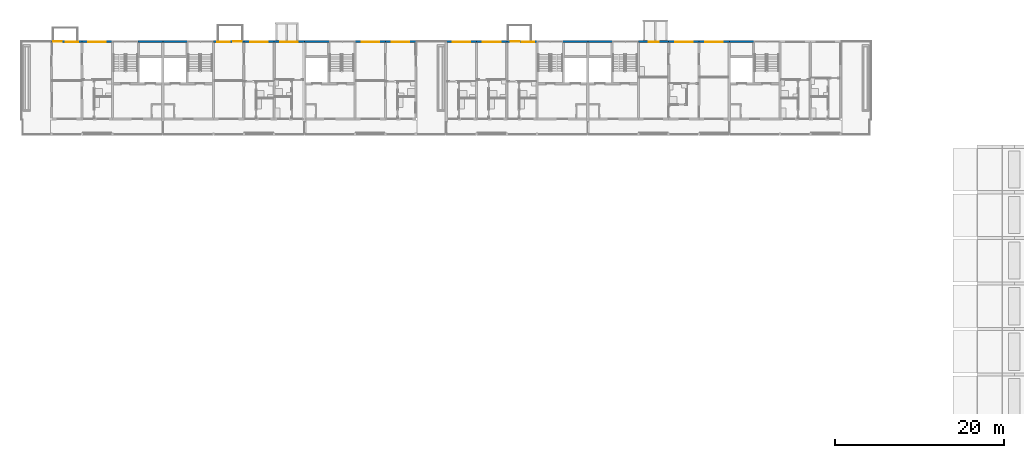
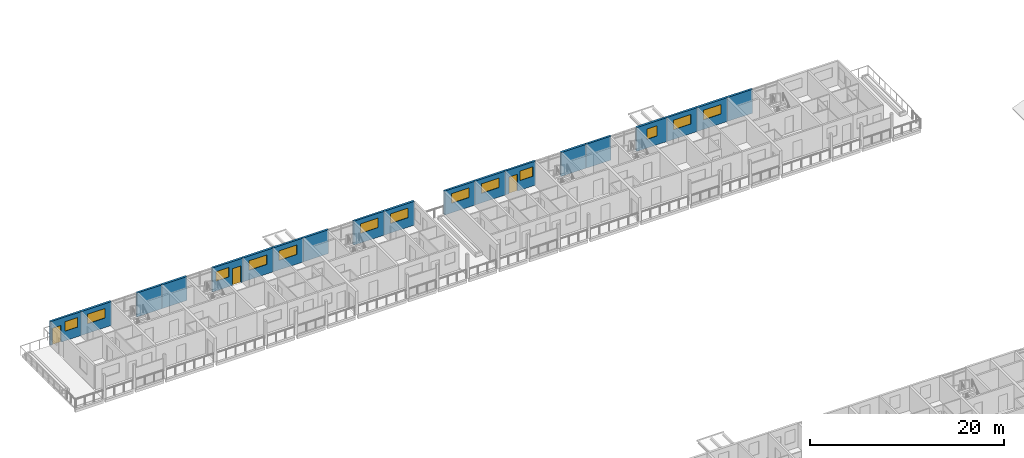
# One storey, part 43 of 93: 19 walls, 13 windows, 3 doors, 16 openings.
"""IFC4 building model written with IfcOpenShell, lengths in metres."""

from ifc_helpers import new_model, si_unit, direction, frame, frame_2d, origin, place, context, subcontext, project, spatial, rectangle, extrude, material, layer, layer_set, type_object, element, fill, save


model = new_model("IFC4")

# Units and contexts
model_context = context("Model", 3, precision=1e-05, world=origin(), true_north=direction((0.0, 1.0)))
body_context = subcontext(model_context, "Body", "Model", "MODEL_VIEW")
ifc_project = project(units=[si_unit("LENGTHUNIT", "METRE"), si_unit("AREAUNIT", "SQUARE_METRE"), si_unit("VOLUMEUNIT", "CUBIC_METRE"), si_unit("PLANEANGLEUNIT", "RADIAN"), si_unit("MASSUNIT", "GRAM", prefix="KILO")], contexts=[model_context])

# Site, building, storey
site_placement = place(None, origin())
site = spatial("IfcSite", under=ifc_project, at=site_placement, CompositionType="ELEMENT")
building_placement = place(site_placement, origin())
building = spatial("IfcBuilding", under=site, at=building_placement, Name="Ridgestep Commons", CompositionType="ELEMENT")
storey_placement = place(building_placement, frame((0.0, 0.0, 18.0)))
storey = spatial("IfcBuildingStorey", under=building, at=storey_placement, Name="L06", CompositionType="ELEMENT", Elevation=18.0)

# Wall, openings, door, window
ifc_material_1 = material(Name="Precast concrete C40/50", Category="concrete")
ifc_layer = layer(ifc_material_1, 0.25)
ifc_layer_set = layer_set([ifc_layer], Name="North facade panel 250")
wall_type = type_object("IfcWallType", Name="North facade panel 250", PredefinedType="SOLIDWALL", material=ifc_layer_set)
wall_1_placement = place(storey_placement, frame((15.60009765625, 77.125, 0.0), z_axis=(0.0, 0.0, 1.0), x_axis=(1.0, 0.0, 0.0)))
wall_1 = element("IfcWall", 1, at=wall_1_placement, inside=storey, type_object=wall_type, Name="North panel B1T2 L06", PredefinedType="SOLIDWALL", context=body_context, shape_type="SweptSolid", body=[
    extrude(rectangle(XDim=3.599853515625, YDim=0.25, at=frame_2d((1.7998046875, 0.0))), origin(), (0.0, 0.0, 1.0), 3.0),
])
opening_1_placement = place(wall_1_placement, frame((1.656982421875, 0.0, 1.199951171875)))
opening_1 = element("IfcOpeningElement", 2, at=opening_1_placement, cuts=wall_1, Name="Opening W13", PredefinedType="OPENING", context=body_context, shape_type="SweptSolid", body=[
    extrude(rectangle(XDim=1.5, YDim=1.199951171875, at=frame_2d((0.75, 0.60009765625))), frame((0.0, 0.135009765625, 0.0), z_axis=(0.0, -1.0, 0.0), x_axis=(1.0, 0.0, 0.0)), (0.0, 0.0, 1.0), 0.27001953125),
])
opening_2_placement = place(wall_1_placement, frame((0.214111328125, 0.0, 0.0)))
opening_2 = element("IfcOpeningElement", 3, at=opening_2_placement, cuts=wall_1, Name="Opening B1-06a/8", PredefinedType="OPENING", context=body_context, shape_type="SweptSolid", body=[
    extrude(rectangle(XDim=1.0, YDim=2.10009765625, at=frame_2d((0.5, 1.050048828125))), frame((0.0, 0.135009765625, 0.0), z_axis=(0.0, -1.0, 0.0), x_axis=(1.0, 0.0, 0.0)), (0.0, 0.0, 1.0), 0.27001953125),
])
ifc_material_2 = material(Name="Aluminium and glass", Category="aluminium")
door_type = type_object("IfcDoorType", Name="Balcony door 1000 x 2100", OperationType="NOTDEFINED", PredefinedType="DOOR", material=ifc_material_2)
door_1_placement = place(opening_2_placement, origin())
door_1 = element("IfcDoor", 4, at=door_1_placement, inside=storey, type_object=door_type, Name="Balcony door B1-06a/8", OperationType="SINGLE_SWING_RIGHT", OverallHeight=2.10009765625, OverallWidth=1.0, PredefinedType="DOOR", context=body_context, shape_type="SweptSolid", body=[
    extrude(rectangle(XDim=1.0, YDim=2.10009765625, at=frame_2d((0.5, 1.050048828125))), frame((0.0, 0.02490234375, 0.0), z_axis=(0.0, -1.0, 0.0), x_axis=(1.0, 0.0, 0.0)), (0.0, 0.0, 1.0), 0.050048828125),
])
fill(opening_2, door_1)
ifc_material_3 = material(Name="Aluminium 6063-T6 and glass", Category="aluminium")
window_type_1 = type_object("IfcWindowType", Name="Flat window 1500 x 1200", PartitioningType="DOUBLE_PANEL_VERTICAL", PredefinedType="WINDOW", material=ifc_material_3)
window_1_placement = place(opening_1_placement, origin())
window_1 = element("IfcWindow", 5, at=window_1_placement, inside=storey, type_object=window_type_1, Name="Window B1-06a 2", OverallHeight=1.199951171875, OverallWidth=1.5, PartitioningType="SINGLE_PANEL", PredefinedType="WINDOW", context=body_context, shape_type="SweptSolid", body=[
    extrude(rectangle(XDim=1.5, YDim=1.199951171875, at=frame_2d((0.75, 0.60009765625))), frame((0.0, -0.02490234375, 0.0), z_axis=(0.0, -1.0, 0.0), x_axis=(1.0, 0.0, 0.0)), (0.0, 0.0, 1.0), 0.06005859375),
])
fill(opening_1, window_1)

# Wall, opening, window
wall_2_placement = place(storey_placement, frame((19.199951171875, 77.125, 0.0), z_axis=(0.0, 0.0, 1.0), x_axis=(1.0, 0.0, 0.0)))
wall_2 = element("IfcWall", 6, at=wall_2_placement, inside=storey, type_object=wall_type, Name="North panel B1T3 L06", PredefinedType="SOLIDWALL", context=body_context, shape_type="SweptSolid", body=[
    extrude(rectangle(XDim=3.60009765625, YDim=0.25, at=frame_2d((1.800048828125, 0.0))), origin(), (0.0, 0.0, 1.0), 3.0),
])
opening_3_placement = place(wall_2_placement, frame((0.737548828125, 0.0, 1.199951171875)))
opening_3 = element("IfcOpeningElement", 7, at=opening_3_placement, cuts=wall_2, Name="Opening W22", PredefinedType="OPENING", context=body_context, shape_type="SweptSolid", body=[
    extrude(rectangle(XDim=2.10009765625, YDim=1.199951171875, at=frame_2d((1.050048828125, 0.60009765625))), frame((0.0, 0.135009765625, 0.0), z_axis=(0.0, -1.0, 0.0), x_axis=(1.0, 0.0, 0.0)), (0.0, 0.0, 1.0), 0.27001953125),
])
ifc_material_4 = material(Name="Aluminium 6063-T6 and glass", Category="aluminium")
window_type_2 = type_object("IfcWindowType", Name="Flat window 2100 x 1200", PartitioningType="DOUBLE_PANEL_VERTICAL", PredefinedType="WINDOW", material=ifc_material_4)
window_2_placement = place(opening_3_placement, origin())
window_2 = element("IfcWindow", 8, at=window_2_placement, inside=storey, type_object=window_type_2, Name="Window B1-06a 4", OverallHeight=1.199951171875, OverallWidth=2.10009765625, PartitioningType="SINGLE_PANEL", PredefinedType="WINDOW", context=body_context, shape_type="SweptSolid", body=[
    extrude(rectangle(XDim=2.10009765625, YDim=1.199951171875, at=frame_2d((1.050048828125, 0.60009765625))), frame((0.0, -0.02490234375, 0.0), z_axis=(0.0, -1.0, 0.0), x_axis=(1.0, 0.0, 0.0)), (0.0, 0.0, 1.0), 0.06005859375),
])
fill(opening_3, window_2)

# Walls
wall_3_placement = place(storey_placement, frame((25.824951171875, 77.125, 0.0), z_axis=(0.0, 0.0, 1.0), x_axis=(1.0, 0.0, 0.0)))
element("IfcWall", 9, at=wall_3_placement, inside=storey, type_object=wall_type, Name="North panel B1C L06", PredefinedType="SOLIDWALL", context=body_context, shape_type="SweptSolid", body=[
    extrude(rectangle(XDim=2.97509765625, YDim=0.25, at=frame_2d((1.487548828125, 0.0))), origin(), (0.0, 0.0, 1.0), 3.0),
])
wall_4_placement = place(storey_placement, frame((28.800048828125, 77.125, 0.0), z_axis=(0.0, 0.0, 1.0), x_axis=(1.0, 0.0, 0.0)))
element("IfcWall", 10, at=wall_4_placement, inside=storey, type_object=wall_type, Name="North panel B2C L06", PredefinedType="SOLIDWALL", context=body_context, shape_type="SweptSolid", body=[
    extrude(rectangle(XDim=2.974853515625, YDim=0.25, at=frame_2d((1.4873046875, 0.0))), origin(), (0.0, 0.0, 1.0), 3.0),
])

# Wall, openings, door, window
wall_5_placement = place(storey_placement, frame((34.800048828125, 77.125, 0.0), z_axis=(0.0, 0.0, 1.0), x_axis=(1.0, 0.0, 0.0)))
wall_5 = element("IfcWall", 11, at=wall_5_placement, inside=storey, type_object=wall_type, Name="North panel B2T3 L06", PredefinedType="SOLIDWALL", context=body_context, shape_type="SweptSolid", body=[
    extrude(rectangle(XDim=3.599853515625, YDim=0.25, at=frame_2d((1.7998046875, 0.0))), origin(), (0.0, 0.0, 1.0), 3.0),
])
opening_4_placement = place(wall_5_placement, frame((0.4404296875, 0.0, 1.199951171875)))
opening_4 = element("IfcOpeningElement", 12, at=opening_4_placement, cuts=wall_5, Name="Opening W13", PredefinedType="OPENING", context=body_context, shape_type="SweptSolid", body=[
    extrude(rectangle(XDim=1.5, YDim=1.199951171875, at=frame_2d((0.75, 0.60009765625))), frame((0.0, 0.135009765625, 0.0), z_axis=(0.0, -1.0, 0.0), x_axis=(1.0, 0.0, 0.0)), (0.0, 0.0, 1.0), 0.27001953125),
])
opening_5_placement = place(wall_5_placement, frame((2.35595703125, 0.0, 0.0)))
opening_5 = element("IfcOpeningElement", 13, at=opening_5_placement, cuts=wall_5, Name="Opening B2-06b/7", PredefinedType="OPENING", context=body_context, shape_type="SweptSolid", body=[
    extrude(rectangle(XDim=1.0, YDim=2.10009765625, at=frame_2d((0.5, 1.050048828125))), frame((0.0, 0.135009765625, 0.0), z_axis=(0.0, -1.0, 0.0), x_axis=(1.0, 0.0, 0.0)), (0.0, 0.0, 1.0), 0.27001953125),
])
door_2_placement = place(opening_5_placement, origin())
door_2 = element("IfcDoor", 14, at=door_2_placement, inside=storey, type_object=door_type, Name="Balcony door B2-06b/7", OperationType="SINGLE_SWING_LEFT", OverallHeight=2.10009765625, OverallWidth=1.0, PredefinedType="DOOR", context=body_context, shape_type="SweptSolid", body=[
    extrude(rectangle(XDim=1.0, YDim=2.10009765625, at=frame_2d((0.5, 1.050048828125))), frame((0.0, 0.02490234375, 0.0), z_axis=(0.0, -1.0, 0.0), x_axis=(1.0, 0.0, 0.0)), (0.0, 0.0, 1.0), 0.050048828125),
])
fill(opening_5, door_2)
window_3_placement = place(opening_4_placement, origin())
window_3 = element("IfcWindow", 15, at=window_3_placement, inside=storey, type_object=window_type_1, Name="Window B2-06b 2", OverallHeight=1.199951171875, OverallWidth=1.5, PartitioningType="SINGLE_PANEL", PredefinedType="WINDOW", context=body_context, shape_type="SweptSolid", body=[
    extrude(rectangle(XDim=1.5, YDim=1.199951171875, at=frame_2d((0.75, 0.60009765625))), frame((0.0, -0.02490234375, 0.0), z_axis=(0.0, -1.0, 0.0), x_axis=(1.0, 0.0, 0.0)), (0.0, 0.0, 1.0), 0.06005859375),
])
fill(opening_4, window_3)

# Wall, opening, window
wall_6_placement = place(storey_placement, frame((38.39990234375, 77.125, 0.0), z_axis=(0.0, 0.0, 1.0), x_axis=(1.0, 0.0, 0.0)))
wall_6 = element("IfcWall", 16, at=wall_6_placement, inside=storey, type_object=wall_type, Name="North panel B2T2 L06", PredefinedType="SOLIDWALL", context=body_context, shape_type="SweptSolid", body=[
    extrude(rectangle(XDim=3.60009765625, YDim=0.25, at=frame_2d((1.800048828125, 0.0))), origin(), (0.0, 0.0, 1.0), 3.0),
])
opening_6_placement = place(wall_6_placement, frame((0.75, 0.0, 1.199951171875)))
opening_6 = element("IfcOpeningElement", 17, at=opening_6_placement, cuts=wall_6, Name="Opening W22", PredefinedType="OPENING", context=body_context, shape_type="SweptSolid", body=[
    extrude(rectangle(XDim=2.10009765625, YDim=1.199951171875, at=frame_2d((1.050048828125, 0.60009765625))), frame((0.0, 0.135009765625, 0.0), z_axis=(0.0, -1.0, 0.0), x_axis=(1.0, 0.0, 0.0)), (0.0, 0.0, 1.0), 0.27001953125),
])
window_4_placement = place(opening_6_placement, origin())
window_4 = element("IfcWindow", 18, at=window_4_placement, inside=storey, type_object=window_type_2, Name="Window B2-06b 4", OverallHeight=1.199951171875, OverallWidth=2.10009765625, PartitioningType="SINGLE_PANEL", PredefinedType="WINDOW", context=body_context, shape_type="SweptSolid", body=[
    extrude(rectangle(XDim=2.10009765625, YDim=1.199951171875, at=frame_2d((1.050048828125, 0.60009765625))), frame((0.0, -0.02490234375, 0.0), z_axis=(0.0, -1.0, 0.0), x_axis=(1.0, 0.0, 0.0)), (0.0, 0.0, 1.0), 0.06005859375),
])
fill(opening_6, window_4)

wall_7_placement = place(storey_placement, frame((42.0, 77.125, 0.0), z_axis=(0.0, 0.0, 1.0), x_axis=(1.0, 0.0, 0.0)))
wall_7 = element("IfcWall", 19, at=wall_7_placement, inside=storey, type_object=wall_type, Name="North panel B2T1 L06", PredefinedType="SOLIDWALL", context=body_context, shape_type="SweptSolid", body=[
    extrude(rectangle(XDim=3.60009765625, YDim=0.25, at=frame_2d((1.800048828125, 0.0))), origin(), (0.0, 0.0, 1.0), 3.0),
])
opening_7_placement = place(wall_7_placement, frame((0.72509765625, 0.0, 1.199951171875)))
opening_7 = element("IfcOpeningElement", 20, at=opening_7_placement, cuts=wall_7, Name="Opening W22", PredefinedType="OPENING", context=body_context, shape_type="SweptSolid", body=[
    extrude(rectangle(XDim=2.10009765625, YDim=1.199951171875, at=frame_2d((1.050048828125, 0.60009765625))), frame((0.0, 0.135009765625, 0.0), z_axis=(0.0, -1.0, 0.0), x_axis=(1.0, 0.0, 0.0)), (0.0, 0.0, 1.0), 0.27001953125),
])
window_5_placement = place(opening_7_placement, origin())
window_5 = element("IfcWindow", 21, at=window_5_placement, inside=storey, type_object=window_type_2, Name="Window B2-06a 2", OverallHeight=1.199951171875, OverallWidth=2.10009765625, PartitioningType="SINGLE_PANEL", PredefinedType="WINDOW", context=body_context, shape_type="SweptSolid", body=[
    extrude(rectangle(XDim=2.10009765625, YDim=1.199951171875, at=frame_2d((1.050048828125, 0.60009765625))), frame((0.0, -0.02490234375, 0.0), z_axis=(0.0, -1.0, 0.0), x_axis=(1.0, 0.0, 0.0)), (0.0, 0.0, 1.0), 0.06005859375),
])
fill(opening_7, window_5)

# Wall
wall_8_placement = place(storey_placement, frame((45.60009765625, 77.125, 0.0), z_axis=(0.0, 0.0, 1.0), x_axis=(1.0, 0.0, 0.0)))
element("IfcWall", 22, at=wall_8_placement, inside=storey, type_object=wall_type, Name="North panel B3C L06", PredefinedType="SOLIDWALL", context=body_context, shape_type="SweptSolid", body=[
    extrude(rectangle(XDim=2.974853515625, YDim=0.25, at=frame_2d((1.4873046875, 0.0))), origin(), (0.0, 0.0, 1.0), 3.0),
])

# Wall, opening, window
wall_9_placement = place(storey_placement, frame((51.60009765625, 77.125, 0.0), z_axis=(0.0, 0.0, 1.0), x_axis=(1.0, 0.0, 0.0)))
wall_9 = element("IfcWall", 23, at=wall_9_placement, inside=storey, type_object=wall_type, Name="North panel B3T3 L06", PredefinedType="SOLIDWALL", context=body_context, shape_type="SweptSolid", body=[
    extrude(rectangle(XDim=3.599853515625, YDim=0.25, at=frame_2d((1.7998046875, 0.0))), origin(), (0.0, 0.0, 1.0), 3.0),
])
opening_8_placement = place(wall_9_placement, frame((0.762451171875, 0.0, 1.199951171875)))
opening_8 = element("IfcOpeningElement", 24, at=opening_8_placement, cuts=wall_9, Name="Opening W22", PredefinedType="OPENING", context=body_context, shape_type="SweptSolid", body=[
    extrude(rectangle(XDim=2.10009765625, YDim=1.199951171875, at=frame_2d((1.050048828125, 0.60009765625))), frame((0.0, 0.135009765625, 0.0), z_axis=(0.0, -1.0, 0.0), x_axis=(1.0, 0.0, 0.0)), (0.0, 0.0, 1.0), 0.27001953125),
])
window_6_placement = place(opening_8_placement, origin())
window_6 = element("IfcWindow", 25, at=window_6_placement, inside=storey, type_object=window_type_2, Name="Window B3-06a 2", OverallHeight=1.199951171875, OverallWidth=2.10009765625, PartitioningType="SINGLE_PANEL", PredefinedType="WINDOW", context=body_context, shape_type="SweptSolid", body=[
    extrude(rectangle(XDim=2.10009765625, YDim=1.199951171875, at=frame_2d((1.050048828125, 0.60009765625))), frame((0.0, -0.02490234375, 0.0), z_axis=(0.0, -1.0, 0.0), x_axis=(1.0, 0.0, 0.0)), (0.0, 0.0, 1.0), 0.06005859375),
])
fill(opening_8, window_6)

wall_10_placement = place(storey_placement, frame((55.199951171875, 77.125, 0.0), z_axis=(0.0, 0.0, 1.0), x_axis=(1.0, 0.0, 0.0)))
wall_10 = element("IfcWall", 26, at=wall_10_placement, inside=storey, type_object=wall_type, Name="North panel B3T2 L06", PredefinedType="SOLIDWALL", context=body_context, shape_type="SweptSolid", body=[
    extrude(rectangle(XDim=3.60009765625, YDim=0.25, at=frame_2d((1.800048828125, 0.0))), origin(), (0.0, 0.0, 1.0), 3.0),
])
opening_9_placement = place(wall_10_placement, frame((0.75, 0.0, 1.199951171875)))
opening_9 = element("IfcOpeningElement", 27, at=opening_9_placement, cuts=wall_10, Name="Opening W22", PredefinedType="OPENING", context=body_context, shape_type="SweptSolid", body=[
    extrude(rectangle(XDim=2.10009765625, YDim=1.199951171875, at=frame_2d((1.050048828125, 0.60009765625))), frame((0.0, 0.135009765625, 0.0), z_axis=(0.0, -1.0, 0.0), x_axis=(1.0, 0.0, 0.0)), (0.0, 0.0, 1.0), 0.27001953125),
])
window_7_placement = place(opening_9_placement, origin())
window_7 = element("IfcWindow", 28, at=window_7_placement, inside=storey, type_object=window_type_2, Name="Window B3-06a 4", OverallHeight=1.199951171875, OverallWidth=2.10009765625, PartitioningType="SINGLE_PANEL", PredefinedType="WINDOW", context=body_context, shape_type="SweptSolid", body=[
    extrude(rectangle(XDim=2.10009765625, YDim=1.199951171875, at=frame_2d((1.050048828125, 0.60009765625))), frame((0.0, -0.02490234375, 0.0), z_axis=(0.0, -1.0, 0.0), x_axis=(1.0, 0.0, 0.0)), (0.0, 0.0, 1.0), 0.06005859375),
])
fill(opening_9, window_7)

wall_11_placement = place(storey_placement, frame((62.39990234375, 77.125, 0.0), z_axis=(0.0, 0.0, 1.0), x_axis=(1.0, 0.0, 0.0)))
wall_11 = element("IfcWall", 29, at=wall_11_placement, inside=storey, type_object=wall_type, Name="North panel B4T1 L06", PredefinedType="SOLIDWALL", context=body_context, shape_type="SweptSolid", body=[
    extrude(rectangle(XDim=3.60009765625, YDim=0.25, at=frame_2d((1.800048828125, 0.0))), origin(), (0.0, 0.0, 1.0), 3.0),
])
opening_10_placement = place(wall_11_placement, frame((0.77490234375, 0.0, 1.199951171875)))
opening_10 = element("IfcOpeningElement", 30, at=opening_10_placement, cuts=wall_11, Name="Opening W22", PredefinedType="OPENING", context=body_context, shape_type="SweptSolid", body=[
    extrude(rectangle(XDim=2.10009765625, YDim=1.199951171875, at=frame_2d((1.050048828125, 0.60009765625))), frame((0.0, 0.135009765625, 0.0), z_axis=(0.0, -1.0, 0.0), x_axis=(1.0, 0.0, 0.0)), (0.0, 0.0, 1.0), 0.27001953125),
])
window_8_placement = place(opening_10_placement, origin())
window_8 = element("IfcWindow", 31, at=window_8_placement, inside=storey, type_object=window_type_2, Name="Window B4-06a 2", OverallHeight=1.199951171875, OverallWidth=2.10009765625, PartitioningType="SINGLE_PANEL", PredefinedType="WINDOW", context=body_context, shape_type="SweptSolid", body=[
    extrude(rectangle(XDim=2.10009765625, YDim=1.199951171875, at=frame_2d((1.050048828125, 0.60009765625))), frame((0.0, -0.02490234375, 0.0), z_axis=(0.0, -1.0, 0.0), x_axis=(1.0, 0.0, 0.0)), (0.0, 0.0, 1.0), 0.06005859375),
])
fill(opening_10, window_8)

wall_12_placement = place(storey_placement, frame((66.0, 77.125, 0.0), z_axis=(0.0, 0.0, 1.0), x_axis=(1.0, 0.0, 0.0)))
wall_12 = element("IfcWall", 32, at=wall_12_placement, inside=storey, type_object=wall_type, Name="North panel B4T2 L06", PredefinedType="SOLIDWALL", context=body_context, shape_type="SweptSolid", body=[
    extrude(rectangle(XDim=3.60009765625, YDim=0.25, at=frame_2d((1.800048828125, 0.0))), origin(), (0.0, 0.0, 1.0), 3.0),
])
opening_11_placement = place(wall_12_placement, frame((0.75, 0.0, 1.199951171875)))
opening_11 = element("IfcOpeningElement", 33, at=opening_11_placement, cuts=wall_12, Name="Opening W22", PredefinedType="OPENING", context=body_context, shape_type="SweptSolid", body=[
    extrude(rectangle(XDim=2.10009765625, YDim=1.199951171875, at=frame_2d((1.050048828125, 0.60009765625))), frame((0.0, 0.135009765625, 0.0), z_axis=(0.0, -1.0, 0.0), x_axis=(1.0, 0.0, 0.0)), (0.0, 0.0, 1.0), 0.27001953125),
])
window_9_placement = place(opening_11_placement, origin())
window_9 = element("IfcWindow", 34, at=window_9_placement, inside=storey, type_object=window_type_2, Name="Window B4-06b 2", OverallHeight=1.199951171875, OverallWidth=2.10009765625, PartitioningType="SINGLE_PANEL", PredefinedType="WINDOW", context=body_context, shape_type="SweptSolid", body=[
    extrude(rectangle(XDim=2.10009765625, YDim=1.199951171875, at=frame_2d((1.050048828125, 0.60009765625))), frame((0.0, -0.02490234375, 0.0), z_axis=(0.0, -1.0, 0.0), x_axis=(1.0, 0.0, 0.0)), (0.0, 0.0, 1.0), 0.06005859375),
])
fill(opening_11, window_9)

# Wall, openings, door, window
wall_13_placement = place(storey_placement, frame((69.60009765625, 77.125, 0.0), z_axis=(0.0, 0.0, 1.0), x_axis=(1.0, 0.0, 0.0)))
wall_13 = element("IfcWall", 35, at=wall_13_placement, inside=storey, type_object=wall_type, Name="North panel B4T3 L06", PredefinedType="SOLIDWALL", context=body_context, shape_type="SweptSolid", body=[
    extrude(rectangle(XDim=3.599853515625, YDim=0.25, at=frame_2d((1.7998046875, 0.0))), origin(), (0.0, 0.0, 1.0), 3.0),
])
opening_12_placement = place(wall_13_placement, frame((1.763427734375, 0.0, 1.199951171875)))
opening_12 = element("IfcOpeningElement", 36, at=opening_12_placement, cuts=wall_13, Name="Opening W13", PredefinedType="OPENING", context=body_context, shape_type="SweptSolid", body=[
    extrude(rectangle(XDim=1.5, YDim=1.199951171875, at=frame_2d((0.75, 0.60009765625))), frame((0.0, 0.135009765625, 0.0), z_axis=(0.0, -1.0, 0.0), x_axis=(1.0, 0.0, 0.0)), (0.0, 0.0, 1.0), 0.27001953125),
])
opening_13_placement = place(wall_13_placement, frame((0.451904296875, 0.0, 0.0)))
opening_13 = element("IfcOpeningElement", 37, at=opening_13_placement, cuts=wall_13, Name="Opening B4-06c/5", PredefinedType="OPENING", context=body_context, shape_type="SweptSolid", body=[
    extrude(rectangle(XDim=1.0, YDim=2.10009765625, at=frame_2d((0.5, 1.050048828125))), frame((0.0, 0.135009765625, 0.0), z_axis=(0.0, -1.0, 0.0), x_axis=(1.0, 0.0, 0.0)), (0.0, 0.0, 1.0), 0.27001953125),
])
door_3_placement = place(opening_13_placement, origin())
door_3 = element("IfcDoor", 38, at=door_3_placement, inside=storey, type_object=door_type, Name="Balcony door B4-06c/5", OperationType="SINGLE_SWING_RIGHT", OverallHeight=2.10009765625, OverallWidth=1.0, PredefinedType="DOOR", context=body_context, shape_type="SweptSolid", body=[
    extrude(rectangle(XDim=1.0, YDim=2.10009765625, at=frame_2d((0.5, 1.050048828125))), frame((0.0, 0.02490234375, 0.0), z_axis=(0.0, -1.0, 0.0), x_axis=(1.0, 0.0, 0.0)), (0.0, 0.0, 1.0), 0.050048828125),
])
fill(opening_13, door_3)
window_10_placement = place(opening_12_placement, origin())
window_10 = element("IfcWindow", 39, at=window_10_placement, inside=storey, type_object=window_type_1, Name="Window B4-06c 2", OverallHeight=1.199951171875, OverallWidth=1.5, PartitioningType="SINGLE_PANEL", PredefinedType="WINDOW", context=body_context, shape_type="SweptSolid", body=[
    extrude(rectangle(XDim=1.5, YDim=1.199951171875, at=frame_2d((0.75, 0.60009765625))), frame((0.0, -0.02490234375, 0.0), z_axis=(0.0, -1.0, 0.0), x_axis=(1.0, 0.0, 0.0)), (0.0, 0.0, 1.0), 0.06005859375),
])
fill(opening_12, window_10)

# Walls
wall_14_placement = place(storey_placement, frame((76.22509765625, 77.125, 0.0), z_axis=(0.0, 0.0, 1.0), x_axis=(1.0, 0.0, 0.0)))
element("IfcWall", 40, at=wall_14_placement, inside=storey, type_object=wall_type, Name="North panel B4C L06", PredefinedType="SOLIDWALL", context=body_context, shape_type="SweptSolid", body=[
    extrude(rectangle(XDim=2.974853515625, YDim=0.25, at=frame_2d((1.4873046875, 0.0))), origin(), (0.0, 0.0, 1.0), 3.0),
])
wall_15_placement = place(storey_placement, frame((79.199951171875, 77.125, 0.0), z_axis=(0.0, 0.0, 1.0), x_axis=(1.0, 0.0, 0.0)))
element("IfcWall", 41, at=wall_15_placement, inside=storey, type_object=wall_type, Name="North panel B5C L06", PredefinedType="SOLIDWALL", context=body_context, shape_type="SweptSolid", body=[
    extrude(rectangle(XDim=2.97509765625, YDim=0.25, at=frame_2d((1.487548828125, 0.0))), origin(), (0.0, 0.0, 1.0), 3.0),
])

# Wall, opening, window
wall_16_placement = place(storey_placement, frame((85.199951171875, 77.125, 0.0), z_axis=(0.0, 0.0, 1.0), x_axis=(1.0, 0.0, 0.0)))
wall_16 = element("IfcWall", 42, at=wall_16_placement, inside=storey, type_object=wall_type, Name="North panel B5T3 L06", PredefinedType="SOLIDWALL", context=body_context, shape_type="SweptSolid", body=[
    extrude(rectangle(XDim=3.60009765625, YDim=0.25, at=frame_2d((1.800048828125, 0.0))), origin(), (0.0, 0.0, 1.0), 3.0),
])
opening_14_placement = place(wall_16_placement, frame((1.21240234375, 0.0, 1.10009765625)))
opening_14 = element("IfcOpeningElement", 43, at=opening_14_placement, cuts=wall_16, Name="Opening W08", PredefinedType="OPENING", context=body_context, shape_type="SweptSolid", body=[
    extrude(rectangle(XDim=1.199951171875, YDim=1.300048828125, at=frame_2d((0.60009765625, 0.64990234375))), frame((0.0, 0.135009765625, 0.0), z_axis=(0.0, -1.0, 0.0), x_axis=(1.0, 0.0, 0.0)), (0.0, 0.0, 1.0), 0.27001953125),
])
ifc_material_5 = material(Name="Aluminium 6063-T6 and glass", Category="aluminium")
window_type_3 = type_object("IfcWindowType", Name="Flat window 1200 x 1300", PartitioningType="SINGLE_PANEL", PredefinedType="WINDOW", material=ifc_material_5)
window_11_placement = place(opening_14_placement, origin())
window_11 = element("IfcWindow", 44, at=window_11_placement, inside=storey, type_object=window_type_3, Name="Window B5-06a 2", OverallHeight=1.300048828125, OverallWidth=1.199951171875, PartitioningType="SINGLE_PANEL", PredefinedType="WINDOW", context=body_context, shape_type="SweptSolid", body=[
    extrude(rectangle(XDim=1.199951171875, YDim=1.300048828125, at=frame_2d((0.60009765625, 0.64990234375))), frame((0.0, -0.02490234375, 0.0), z_axis=(0.0, -1.0, 0.0), x_axis=(1.0, 0.0, 0.0)), (0.0, 0.0, 1.0), 0.06005859375),
])
fill(opening_14, window_11)

wall_17_placement = place(storey_placement, frame((88.800048828125, 77.125, 0.0), z_axis=(0.0, 0.0, 1.0), x_axis=(1.0, 0.0, 0.0)))
wall_17 = element("IfcWall", 45, at=wall_17_placement, inside=storey, type_object=wall_type, Name="North panel B5T2 L06", PredefinedType="SOLIDWALL", context=body_context, shape_type="SweptSolid", body=[
    extrude(rectangle(XDim=3.599853515625, YDim=0.25, at=frame_2d((1.7998046875, 0.0))), origin(), (0.0, 0.0, 1.0), 3.0),
])
opening_15_placement = place(wall_17_placement, frame((0.75, 0.0, 1.199951171875)))
opening_15 = element("IfcOpeningElement", 46, at=opening_15_placement, cuts=wall_17, Name="Opening W22", PredefinedType="OPENING", context=body_context, shape_type="SweptSolid", body=[
    extrude(rectangle(XDim=2.10009765625, YDim=1.199951171875, at=frame_2d((1.050048828125, 0.60009765625))), frame((0.0, 0.135009765625, 0.0), z_axis=(0.0, -1.0, 0.0), x_axis=(1.0, 0.0, 0.0)), (0.0, 0.0, 1.0), 0.27001953125),
])
window_12_placement = place(opening_15_placement, origin())
window_12 = element("IfcWindow", 47, at=window_12_placement, inside=storey, type_object=window_type_2, Name="Window B5-06a 5", OverallHeight=1.199951171875, OverallWidth=2.10009765625, PartitioningType="SINGLE_PANEL", PredefinedType="WINDOW", context=body_context, shape_type="SweptSolid", body=[
    extrude(rectangle(XDim=2.10009765625, YDim=1.199951171875, at=frame_2d((1.050048828125, 0.60009765625))), frame((0.0, -0.02490234375, 0.0), z_axis=(0.0, -1.0, 0.0), x_axis=(1.0, 0.0, 0.0)), (0.0, 0.0, 1.0), 0.06005859375),
])
fill(opening_15, window_12)

wall_18_placement = place(storey_placement, frame((92.39990234375, 77.125, 0.0), z_axis=(0.0, 0.0, 1.0), x_axis=(1.0, 0.0, 0.0)))
wall_18 = element("IfcWall", 48, at=wall_18_placement, inside=storey, type_object=wall_type, Name="North panel B5T1 L06", PredefinedType="SOLIDWALL", context=body_context, shape_type="SweptSolid", body=[
    extrude(rectangle(XDim=3.60009765625, YDim=0.25, at=frame_2d((1.800048828125, 0.0))), origin(), (0.0, 0.0, 1.0), 3.0),
])
opening_16_placement = place(wall_18_placement, frame((0.72509765625, 0.0, 1.199951171875)))
opening_16 = element("IfcOpeningElement", 49, at=opening_16_placement, cuts=wall_18, Name="Opening W22", PredefinedType="OPENING", context=body_context, shape_type="SweptSolid", body=[
    extrude(rectangle(XDim=2.10009765625, YDim=1.199951171875, at=frame_2d((1.050048828125, 0.60009765625))), frame((0.0, 0.135009765625, 0.0), z_axis=(0.0, -1.0, 0.0), x_axis=(1.0, 0.0, 0.0)), (0.0, 0.0, 1.0), 0.27001953125),
])
window_13_placement = place(opening_16_placement, origin())
window_13 = element("IfcWindow", 50, at=window_13_placement, inside=storey, type_object=window_type_2, Name="Window B5-06a 4", OverallHeight=1.199951171875, OverallWidth=2.10009765625, PartitioningType="SINGLE_PANEL", PredefinedType="WINDOW", context=body_context, shape_type="SweptSolid", body=[
    extrude(rectangle(XDim=2.10009765625, YDim=1.199951171875, at=frame_2d((1.050048828125, 0.60009765625))), frame((0.0, -0.02490234375, 0.0), z_axis=(0.0, -1.0, 0.0), x_axis=(1.0, 0.0, 0.0)), (0.0, 0.0, 1.0), 0.06005859375),
])
fill(opening_16, window_13)

# Wall
wall_19_placement = place(storey_placement, frame((96.0, 77.125, 0.0), z_axis=(0.0, 0.0, 1.0), x_axis=(1.0, 0.0, 0.0)))
element("IfcWall", 51, at=wall_19_placement, inside=storey, type_object=wall_type, Name="North panel B6C L06", PredefinedType="SOLIDWALL", context=body_context, shape_type="SweptSolid", body=[
    extrude(rectangle(XDim=2.97509765625, YDim=0.25, at=frame_2d((1.487548828125, 0.0))), origin(), (0.0, 0.0, 1.0), 3.0),
])

save(model, "model.ifc")
